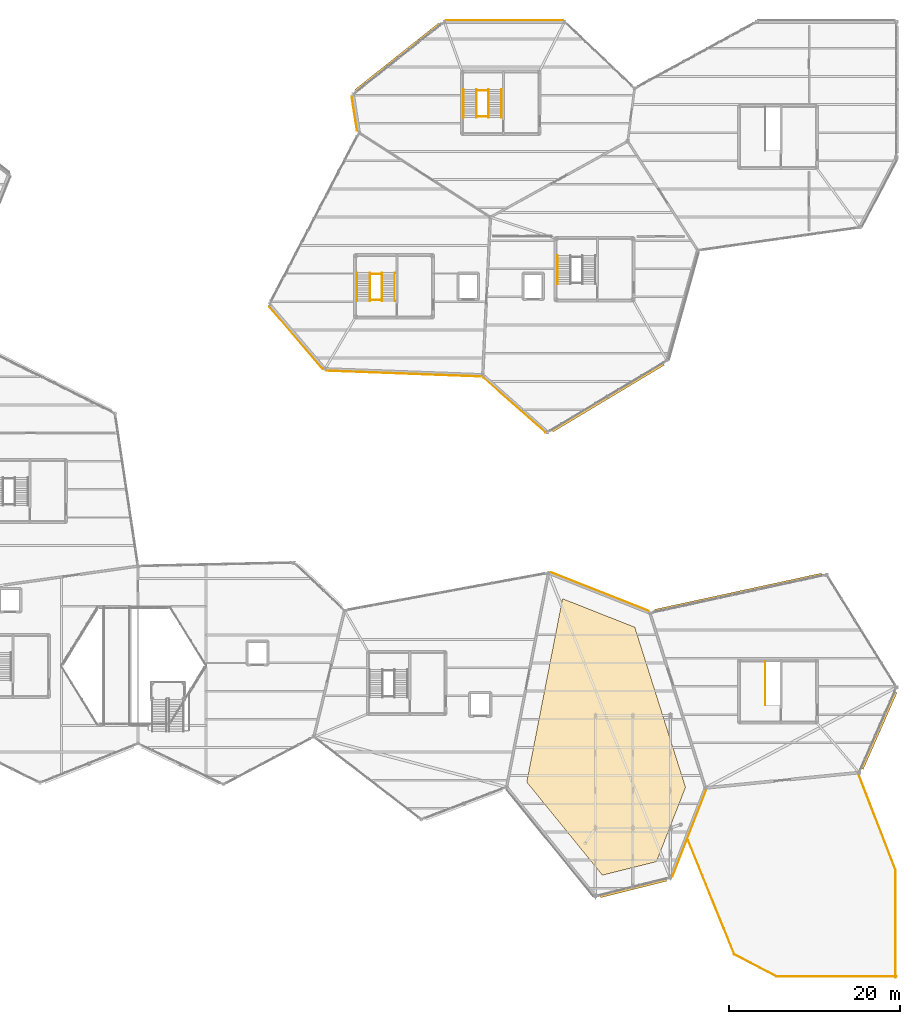
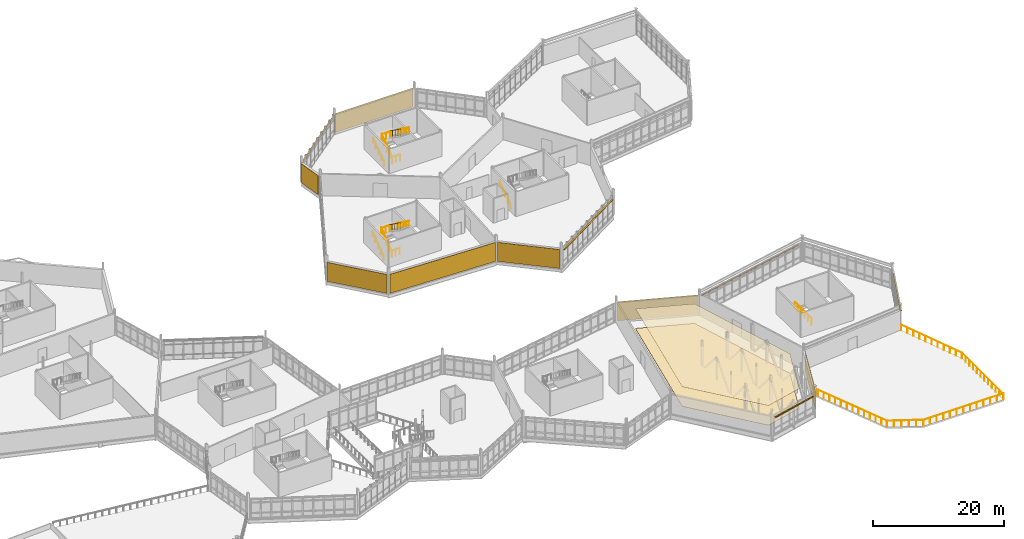
# One storey, part 113 of 114: 19 railings, 9 coverings, 5 shading devices.
"""IFC4 building model written with IfcOpenShell, lengths in metres."""

import ifcopenshell
import ifcopenshell.guid

model = None  # the IFC model being written
_history = None  # IfcOwnerHistory: only IFC2X3 demands one
_inside = {}  # id of a spatial element -> (the spatial element, [elements in it])
_under = {}  # id of a project, library or spatial element -> (it, [spatial elements below it])
_declared = {}  # id of a project -> (the project, [libraries it declares])
_typed = {}  # id of a type object -> (the type object, [elements of that type])
_made_of = {}  # id of a material, layer set ... -> (it, [elements and type objects made of it])


def new_model(schema):
    """Start an empty IFC model of exactly this schema.

    Asked for "IFC4X3", IfcOpenShell would pick the latest addendum, in which some entities
    have other attributes; the version numbers below select the first issue.
    IFC2X3 requires an IfcOwnerHistory on every rooted entity: one is made here for all.
    """
    global model, _history
    if schema == "IFC4X3":
        model = ifcopenshell.file(schema_version=(4, 3, 0, 0))
    else:
        model = ifcopenshell.file(schema=schema)
    _inside.clear()
    _under.clear()
    _declared.clear()
    _typed.clear()
    _made_of.clear()
    _history = None
    if model.schema == "IFC2X3":
        org = make("IfcOrganization", Name="unknown")
        user = make(
            "IfcPersonAndOrganization",
            ThePerson=make("IfcPerson", FamilyName="unknown"),
            TheOrganization=org,
        )
        app = make(
            "IfcApplication",
            ApplicationDeveloper=org,
            Version="unknown",
            ApplicationFullName="unknown",
            ApplicationIdentifier="unknown",
        )
        _history = make(
            "IfcOwnerHistory",
            OwningUser=user,
            OwningApplication=app,
            ChangeAction="ADDED",
            CreationDate=0,
        )
    return model


def make(cls, **values):
    """One entity of the class cls with the attributes given. An attribute that is None is left unset."""
    return model.create_entity(
        cls, **{name: value for name, value in values.items() if value is not None}
    )


def rooted(cls, **values):
    """An entity with a GlobalId (a new one), such as an element, a storey or a relation."""
    return make(cls, GlobalId=ifcopenshell.guid.new(), OwnerHistory=_history, **values)


def si_unit(unit_type, name, prefix=None):
    """IfcSIUnit, for example si_unit("LENGTHUNIT", "METRE", prefix="MILLI")."""
    return make("IfcSIUnit", UnitType=unit_type, Prefix=prefix, Name=name)


def assignment(units):
    """IfcUnitAssignment: the units of a project."""
    return None if units is None else make("IfcUnitAssignment", Units=units)


def point(xyz):
    """IfcCartesianPoint."""
    return None if xyz is None else make("IfcCartesianPoint", Coordinates=xyz)


def direction(xyz):
    """IfcDirection."""
    return None if xyz is None else make("IfcDirection", DirectionRatios=xyz)


def frame(location, z_axis=None, x_axis=None):
    """IfcAxis2Placement3D, a coordinate frame: its origin and axes. An axis left out is left unset."""
    return make(
        "IfcAxis2Placement3D",
        Location=point(location),
        Axis=direction(z_axis),
        RefDirection=direction(x_axis),
    )


def frame_2d(location, x_axis=None):
    """IfcAxis2Placement2D, a coordinate frame in the plane: its origin and x axis."""
    return make(
        "IfcAxis2Placement2D", Location=point(location), RefDirection=direction(x_axis)
    )


def origin():
    """The frame at (0, 0, 0) with its axes left unset."""
    return frame((0.0, 0.0, 0.0))


def origin_2d():
    """The frame at (0, 0) in the plane with its x axis left unset."""
    return frame_2d((0.0, 0.0))


def place(relative_to, where):
    """IfcLocalPlacement: puts the frame where relative to a parent placement (None: the world)."""
    return make(
        "IfcLocalPlacement", PlacementRelTo=relative_to, RelativePlacement=where
    )


def context(
    kind, dimensions, precision=None, world=None, true_north=None, identifier=None
):
    """IfcGeometricRepresentationContext, for example the 3D "Model" context."""
    return make(
        "IfcGeometricRepresentationContext",
        ContextIdentifier=identifier,
        ContextType=kind,
        CoordinateSpaceDimension=dimensions,
        Precision=precision,
        WorldCoordinateSystem=world,
        TrueNorth=true_north,
    )


def subcontext(parent, identifier, kind, view, scale=None):
    """IfcGeometricRepresentationSubContext, for example "Body" below "Model"."""
    return make(
        "IfcGeometricRepresentationSubContext",
        ContextIdentifier=identifier,
        ContextType=kind,
        ParentContext=parent,
        TargetScale=scale,
        TargetView=view,
    )


def project(units=None, contexts=None):
    """IfcProject with its units and contexts."""
    return rooted(
        "IfcProject",
        Name="project",
        RepresentationContexts=contexts,
        UnitsInContext=assignment(units),
    )


def spatial(cls, under=None, at=None, **own):
    """A site, building, storey or space (cls), placed at a placement, below another one or the project."""
    s = rooted(cls, ObjectPlacement=at, **own)
    if under is not None:
        _under.setdefault(under.id(), (under, []))[1].append(s)
    return s


def polyline(points):
    """IfcPolyline through the points."""
    return make("IfcPolyline", Points=[point(p) for p in points])


def profile(cls, at=None, kind="AREA", **sizes):
    """A parametric profile (cls). Its sizes go by their IFC names, for example OverallWidth=200.0."""
    return make(cls, ProfileType=kind, Position=at, **sizes)


def rectangle(**sizes):
    """IfcRectangleProfileDef."""
    return profile("IfcRectangleProfileDef", **sizes)


def circle(**sizes):
    """IfcCircleProfileDef."""
    return profile("IfcCircleProfileDef", **sizes)


def outline(outer, holes=None, kind="AREA"):
    """IfcArbitraryClosedProfileDef: a profile drawn as a closed curve; with holes, ...WithVoids."""
    if holes is None:
        return make("IfcArbitraryClosedProfileDef", ProfileType=kind, OuterCurve=outer)
    return make(
        "IfcArbitraryProfileDefWithVoids",
        ProfileType=kind,
        OuterCurve=outer,
        InnerCurves=holes,
    )


def extrude(swept, where, along, depth):
    """IfcExtrudedAreaSolid: the profile swept, set in the frame where, extruded along a direction by depth."""
    return make(
        "IfcExtrudedAreaSolid",
        SweptArea=swept,
        Position=where,
        ExtrudedDirection=direction(along),
        Depth=depth,
    )


def shape(context_of_items, identifier, shape_type, items):
    """IfcShapeRepresentation: the items that make up one representation, for example the "Body"."""
    return make(
        "IfcShapeRepresentation",
        ContextOfItems=context_of_items,
        RepresentationIdentifier=identifier,
        RepresentationType=shape_type,
        Items=items,
    )


def material(Name=None, Category=None):
    """IfcMaterial."""
    return make("IfcMaterial", Name=Name, Category=Category)


def layer(
    of_material, thickness, ventilated=None, Name=None, Category=None, Priority=None
):
    """IfcMaterialLayer: one layer of a wall or slab, of a material (None: an air gap)."""
    return make(
        "IfcMaterialLayer",
        Material=of_material,
        LayerThickness=thickness,
        IsVentilated=ventilated,
        Name=Name,
        Category=Category,
        Priority=Priority,
    )


def layer_set(layers, Name=None):
    """IfcMaterialLayerSet."""
    return make("IfcMaterialLayerSet", MaterialLayers=layers, LayerSetName=Name)


def made_of(thing, what):
    """Note that an element or type object is made of a material, layer set ...; save() writes the relation."""
    if what is not None:
        _made_of.setdefault(what.id(), (what, []))[1].append(thing)
    return thing


def type_object(cls, material=None, **own):
    """A type object (cls), such as IfcWallType, which elements share."""
    return made_of(rooted(cls, **own), material)


def element(
    cls,
    number,
    at=None,
    inside=None,
    cuts=None,
    type_object=None,
    material=None,
    context=None,
    identifier="Body",
    shape_type=None,
    held_by="IfcProductDefinitionShape",
    body=None,
    shapes=None,
    **own,
):
    """One element of the class cls, such as IfcWall. Its Tag is "e" and its number.

    at: its placement. inside: the storey or other place that contains it. cuts: it is an
    opening in that element (IfcRelVoidsElement). A single representation is given by context,
    identifier, shape_type and body (its items); several are given by shapes. held_by: the class
    of the entity that holds the representations. save() writes the other relations.
    """
    e = rooted(cls, Tag="e%d" % number, ObjectPlacement=at, **own)
    if body is not None:
        shapes = [shape(context, identifier, shape_type, body)]
    if shapes is not None:
        e.Representation = make(held_by, Representations=shapes)
    if inside is not None:
        _inside.setdefault(inside.id(), (inside, []))[1].append(e)
    if cuts is not None:
        rooted(
            "IfcRelVoidsElement", RelatingBuildingElement=cuts, RelatedOpeningElement=e
        )
    if type_object is not None:
        _typed.setdefault(type_object.id(), (type_object, []))[1].append(e)
    return made_of(e, material)


def aggregate(whole, parts):
    """IfcRelAggregates: a whole, such as a stair, and the parts it consists of."""
    return rooted("IfcRelAggregates", RelatingObject=whole, RelatedObjects=parts)


def save(model, path):
    """Write the relations noted so far, then the file.

    IfcRelAggregates (storeys below a building ...), IfcRelContainedInSpatialStructure (elements
    in a storey), IfcRelDefinesByType, IfcRelAssociatesMaterial and IfcRelDeclares: one each for
    every whole, place, type object, material and project.
    """
    for whole, parts in _under.values():
        aggregate(whole, parts)
    for where, things in _inside.values():
        rooted(
            "IfcRelContainedInSpatialStructure",
            RelatedElements=things,
            RelatingStructure=where,
        )
    for kind, things in _typed.values():
        rooted("IfcRelDefinesByType", RelatedObjects=things, RelatingType=kind)
    for what, things in _made_of.values():
        rooted("IfcRelAssociatesMaterial", RelatedObjects=things, RelatingMaterial=what)
    for by, libraries in _declared.values():
        rooted("IfcRelDeclares", RelatingContext=by, RelatedDefinitions=libraries)
    model.write(path)


model = new_model("IFC4")

# Units and contexts
model_context = context("Model", 3, precision=1e-05, world=origin(), true_north=direction((0.0, 1.0)))
body_context = subcontext(model_context, "Body", "Model", "MODEL_VIEW")
ifc_project = project(units=[si_unit("LENGTHUNIT", "METRE"), si_unit("AREAUNIT", "SQUARE_METRE"), si_unit("VOLUMEUNIT", "CUBIC_METRE"), si_unit("PLANEANGLEUNIT", "RADIAN"), si_unit("MASSUNIT", "GRAM", prefix="KILO")], contexts=[model_context])

# Site, building, storey
site_placement = place(None, origin())
site = spatial("IfcSite", under=ifc_project, at=site_placement, CompositionType="ELEMENT")
building_placement = place(site_placement, origin())
building = spatial("IfcBuilding", under=site, at=building_placement, Name="Tameran Prism Museum", CompositionType="ELEMENT")
storey_placement = place(building_placement, frame((0.0, 0.0, 10.199951171875)))
storey = spatial("IfcBuildingStorey", under=building, at=storey_placement, Name="L02", CompositionType="ELEMENT", Elevation=10.199951171875)

# Coverings
ifc_material_1 = material(Name="Perforated Acoustic Timber Slat Ceiling", Category="wood")
ifc_layer_1 = layer(ifc_material_1, 0.034912109375)
ifc_layer_set_1 = layer_set([ifc_layer_1])
covering_type_1 = type_object("IfcCoveringType", Name="CV-CEIL-AC", PredefinedType="CEILING", material=ifc_layer_set_1)
covering_1_placement = place(storey_placement, frame((0.0, 0.0, 3.650146484375)))
element("IfcCovering", 1, at=covering_1_placement, inside=storey, type_object=covering_type_1, Name="Acoustic Gallery Ceiling CLG-07", PredefinedType="CEILING", context=body_context, shape_type="SweptSolid", body=[
    extrude(outline(polyline([(131.925048828125, 11.97412109375), (123.055908203125, 22.888916015625), (127.251953125, 44.382080078125), (135.718994140625, 41.0380859375), (141.66796875, 22.27587890625), (138.263916015625, 13.55908203125), (131.925048828125, 11.97412109375)])), origin(), (0.0, 0.0, 1.0), 0.034912109375),
])
ifc_material_2 = material(Name="Honed Porcellanite Terrazzo Flooring")
ifc_layer_2 = layer(ifc_material_2, 0.030029296875)
ifc_layer_set_2 = layer_set([ifc_layer_2])
covering_type_2 = type_object("IfcCoveringType", Name="CV-FLR-TER", PredefinedType="FLOORING", material=ifc_layer_set_2)
covering_2_placement = place(storey_placement, origin())
element("IfcCovering", 2, at=covering_2_placement, inside=storey, type_object=covering_type_2, Name="Porcellanite Terrazzo Floor FLR-07", PredefinedType="FLOORING", context=body_context, shape_type="SweptSolid", body=[
    extrude(outline(polyline([(131.925048828125, 11.97412109375), (123.055908203125, 22.888916015625), (127.251953125, 44.382080078125), (135.718994140625, 41.0380859375), (141.66796875, 22.27587890625), (138.263916015625, 13.55908203125), (131.925048828125, 11.97412109375)])), origin(), (0.0, 0.0, 1.0), 0.030029296875),
])
ifc_material_3 = material(Name="White Fluted Mineral Precast GRC", Category="concrete")
ifc_layer_3 = layer(ifc_material_3, 0.044921875)
ifc_layer_set_3 = layer_set([ifc_layer_3])
covering_type_3 = type_object("IfcCoveringType", Name="CV-FLUTE-WHT", PredefinedType="CLADDING", material=ifc_layer_set_3)
covering_3_placement = place(storey_placement, frame((117.653076171875, 70.4189453125, 0.050048828125), z_axis=(0.0, 0.0, 1.0), x_axis=(-0.99928497739, 0.037809178279, 0.0)))
element("IfcCovering", 3, at=covering_3_placement, inside=storey, type_object=covering_type_3, Name="Vertical Fluted White Precast Panel CL-0026", PredefinedType="CLADDING", context=body_context, shape_type="SweptSolid", body=[
    extrude(rectangle(XDim=18.093017578125, YDim=0.044921875, at=frame_2d((9.04638671875, 0.0))), origin(), (0.0, 0.0, 1.0), 3.52001953125),
])
covering_4_placement = place(storey_placement, frame((99.138916015625, 71.31298828125, 0.050048828125), z_axis=(0.0, 0.0, 1.0), x_axis=(-0.649933824591, 0.759990804979, 0.0)))
element("IfcCovering", 4, at=covering_4_placement, inside=storey, type_object=covering_type_3, Name="Vertical Fluted White Precast Panel CL-0027", PredefinedType="CLADDING", context=body_context, shape_type="SweptSolid", body=[
    extrude(rectangle(XDim=9.640869140625, YDim=0.044921875, at=frame_2d((4.8203125, 0.0))), origin(), (0.0, 0.0, 1.0), 3.52001953125),
])
covering_5_placement = place(storey_placement, frame((125.239013671875, 63.876953125, 0.050048828125), z_axis=(0.0, 0.0, 1.0), x_axis=(-0.750181119255, 0.661232401137, 0.0)))
element("IfcCovering", 5, at=covering_5_placement, inside=storey, type_object=covering_type_3, Name="Vertical Fluted White Precast Panel CL-0028", PredefinedType="CLADDING", context=body_context, shape_type="SweptSolid", body=[
    extrude(rectangle(XDim=9.7109375, YDim=0.044921875, at=frame_2d((4.85546875, 0.0))), origin(), (0.0, 0.0, 1.0), 3.52001953125),
])
covering_6_placement = place(storey_placement, frame((113.580078125, 112.18994140625, 0.050048828125), z_axis=(0.0, 0.0, 1.0), x_axis=(1.0, 0.0, 0.0)))
element("IfcCovering", 6, at=covering_6_placement, inside=storey, type_object=covering_type_3, Name="Vertical Fluted White Precast Panel CL-0030", PredefinedType="CLADDING", context=body_context, shape_type="SweptSolid", body=[
    extrude(rectangle(XDim=13.739990234375, YDim=0.044921875, at=frame_2d((6.8701171875, 0.0))), origin(), (0.0, 0.0, 1.0), 3.52001953125),
])
covering_7_placement = place(storey_placement, frame((103.176025390625, 99.2080078125, 0.050048828125), z_axis=(0.0, 0.0, 1.0), x_axis=(-0.153836417565, 0.988096329631, 0.0)))
element("IfcCovering", 7, at=covering_7_placement, inside=storey, type_object=covering_type_3, Name="Vertical Fluted White Precast Panel CL-0031", PredefinedType="CLADDING", context=body_context, shape_type="SweptSolid", body=[
    extrude(rectangle(XDim=4.13427734375, YDim=0.044921875, at=frame_2d((2.067138671875, 0.0))), origin(), (0.0, 0.0, 1.0), 3.52001953125),
])
covering_8_placement = place(storey_placement, frame((144.077880859375, 21.912109375, 0.050048828125), z_axis=(0.0, 0.0, 1.0), x_axis=(-0.363682479399, -0.931522975658, 0.0)))
element("IfcCovering", 8, at=covering_8_placement, inside=storey, type_object=covering_type_3, Name="Vertical Fluted White Precast Panel CL-0034", PredefinedType="CLADDING", context=body_context, shape_type="SweptSolid", body=[
    extrude(rectangle(XDim=10.852294921875, YDim=0.044921875, at=frame_2d((5.42626953125, 0.0))), origin(), (0.0, 0.0, 1.0), 3.52001953125),
])
covering_9_placement = place(storey_placement, frame((125.889892578125, 47.47705078125, 0.050048828125), z_axis=(0.0, 0.0, 1.0), x_axis=(0.930055754075, -0.36741841858, 0.0)))
element("IfcCovering", 9, at=covering_9_placement, inside=storey, type_object=covering_type_3, Name="Vertical Fluted White Precast Panel CL-0035", PredefinedType="CLADDING", context=body_context, shape_type="SweptSolid", body=[
    extrude(rectangle(XDim=12.3134765625, YDim=0.044921875, at=frame_2d((6.15673828125, 0.0))), origin(), (0.0, 0.0, 1.0), 3.52001953125),
])

# Railings
ifc_material_4 = material(Name="Marine Stainless Steel 316", Category="steel")
ifc_layer_4 = layer(ifc_material_4, 0.054931640625)
ifc_layer_set_4 = layer_set([ifc_layer_4])
railing_type_1 = type_object("IfcRailingType", Name="RL-GR-1120", PredefinedType="GUARDRAIL", material=ifc_layer_set_4)
railing_1_placement = place(storey_placement, frame((104.68994140625, 79.39990234375, 0.0)))
element("IfcRailing", 10, at=railing_1_placement, inside=storey, type_object=railing_type_1, Name="Stair Well Slot Guard GR-S012", PredefinedType="GUARDRAIL", context=body_context, shape_type="SweptSolid", body=[
    extrude(circle(Radius=0.02392578125, at=origin_2d()), frame((0.0, 0.0, 1.1259765625), z_axis=(1.0, 0.0, 0.0), x_axis=(0.0, 1.0, 0.0)), (0.0, 0.0, 1.0), 1.3701171875),
    extrude(circle(Radius=0.02099609375, at=origin_2d()), origin(), (0.0, 0.0, 1.0), 1.101806640625),
    extrude(circle(Radius=0.02099609375, at=origin_2d()), frame((0.68505859375, 0.0, 0.0)), (0.0, 0.0, 1.0), 1.101806640625),
    extrude(circle(Radius=0.02099609375, at=origin_2d()), frame((1.3701171875, 0.0, 0.0)), (0.0, 0.0, 1.0), 1.101806640625),
])
railing_2_placement = place(storey_placement, frame((104.669921875, 79.280029296875, 0.0)))
element("IfcRailing", 11, at=railing_2_placement, inside=storey, type_object=railing_type_1, Name="Stair Well Guardrail GR-S013", PredefinedType="GUARDRAIL", context=body_context, shape_type="SweptSolid", body=[
    extrude(circle(Radius=0.02392578125, at=origin_2d()), frame((0.0, 0.0, 1.1259765625), z_axis=(0.0, 0.809980229442, 0.586457183359), x_axis=(-1.0, 0.0, 0.0)), (0.0, 0.0, 1.0), 4.092529296875),
    extrude(circle(Radius=0.02099609375, at=origin_2d()), origin(), (0.0, 0.0, 1.0), 1.101806640625),
    extrude(circle(Radius=0.02099609375, at=origin_2d()), frame((0.0, 0.82861328125, 0.60009765625)), (0.0, 0.0, 1.0), 1.101806640625),
    extrude(circle(Radius=0.02099609375, at=origin_2d()), frame((0.0, 1.657470703125, 1.2001953125)), (0.0, 0.0, 1.0), 1.101806640625),
    extrude(circle(Radius=0.02099609375, at=origin_2d()), frame((0.0, 2.486328125, 1.800048828125)), (0.0, 0.0, 1.0), 1.101806640625),
    extrude(circle(Radius=0.02099609375, at=origin_2d()), frame((0.0, 3.31494140625, 2.400146484375)), (0.0, 0.0, 1.0), 1.101806640625),
])
railing_3_placement = place(storey_placement, frame((106.080078125, 82.594970703125, 2.400146484375)))
element("IfcRailing", 12, at=railing_3_placement, inside=storey, type_object=railing_type_1, Name="Stair Well Guardrail GR-S014", PredefinedType="GUARDRAIL", context=body_context, shape_type="SweptSolid", body=[
    extrude(circle(Radius=0.02392578125, at=origin_2d()), frame((0.0, 0.0, 1.1259765625), z_axis=(0.0, -0.810008566192, 0.586418044312), x_axis=(1.0, 0.0, 0.0)), (0.0, 0.0, 1.0), 4.092529296875),
    extrude(circle(Radius=0.02099609375, at=origin_2d()), origin(), (0.0, 0.0, 1.0), 1.101806640625),
    extrude(circle(Radius=0.02099609375, at=origin_2d()), frame((0.0, -0.82861328125, 0.60009765625)), (0.0, 0.0, 1.0), 1.101806640625),
    extrude(circle(Radius=0.02099609375, at=origin_2d()), frame((0.0, -1.657470703125, 1.199951171875)), (0.0, 0.0, 1.0), 1.101806640625),
    extrude(circle(Radius=0.02099609375, at=origin_2d()), frame((0.0, -2.486328125, 1.7998046875)), (0.0, 0.0, 1.0), 1.101806640625),
    extrude(circle(Radius=0.02099609375, at=origin_2d()), frame((0.0, -3.31494140625, 2.39990234375)), (0.0, 0.0, 1.0), 1.101806640625),
])
railing_4_placement = place(storey_placement, frame((104.64990234375, 82.455078125, 2.400146484375)))
element("IfcRailing", 13, at=railing_4_placement, inside=storey, type_object=railing_type_1, Name="Landing Well Guardrail GR-S015", PredefinedType="GUARDRAIL", context=body_context, shape_type="SweptSolid", body=[
    extrude(circle(Radius=0.02392578125, at=origin_2d()), frame((0.0, 0.0, 1.1259765625), z_axis=(1.0, 0.0, 0.0), x_axis=(0.0, 1.0, 0.0)), (0.0, 0.0, 1.0), 1.4501953125),
    extrude(circle(Radius=0.02099609375, at=origin_2d()), origin(), (0.0, 0.0, 1.0), 1.101806640625),
    extrude(circle(Radius=0.02099609375, at=origin_2d()), frame((0.72509765625, 0.0, 0.0)), (0.0, 0.0, 1.0), 1.101806640625),
    extrude(circle(Radius=0.02099609375, at=origin_2d()), frame((1.4501953125, 0.0, 0.0)), (0.0, 0.0, 1.0), 1.101806640625),
])
railing_5_placement = place(storey_placement, frame((117.18994140625, 100.89990234375, 0.0)))
element("IfcRailing", 14, at=railing_5_placement, inside=storey, type_object=railing_type_1, Name="Stair Well Slot Guard GR-S068", PredefinedType="GUARDRAIL", context=body_context, shape_type="SweptSolid", body=[
    extrude(circle(Radius=0.02392578125, at=origin_2d()), frame((0.0, 0.0, 1.1259765625), z_axis=(1.0, 0.0, 0.0), x_axis=(0.0, 1.0, 0.0)), (0.0, 0.0, 1.0), 1.3701171875),
    extrude(circle(Radius=0.02099609375, at=origin_2d()), origin(), (0.0, 0.0, 1.0), 1.101806640625),
    extrude(circle(Radius=0.02099609375, at=origin_2d()), frame((0.68505859375, 0.0, 0.0)), (0.0, 0.0, 1.0), 1.101806640625),
    extrude(circle(Radius=0.02099609375, at=origin_2d()), frame((1.3701171875, 0.0, 0.0)), (0.0, 0.0, 1.0), 1.101806640625),
])
railing_6_placement = place(storey_placement, frame((117.169921875, 100.780029296875, 0.0)))
element("IfcRailing", 15, at=railing_6_placement, inside=storey, type_object=railing_type_1, Name="Stair Well Guardrail GR-S069", PredefinedType="GUARDRAIL", context=body_context, shape_type="SweptSolid", body=[
    extrude(circle(Radius=0.02392578125, at=origin_2d()), frame((0.0, 0.0, 1.1259765625), z_axis=(0.0, 0.809980229442, 0.586457183359), x_axis=(-1.0, 0.0, 0.0)), (0.0, 0.0, 1.0), 4.092529296875),
    extrude(circle(Radius=0.02099609375, at=origin_2d()), origin(), (0.0, 0.0, 1.0), 1.101806640625),
    extrude(circle(Radius=0.02099609375, at=origin_2d()), frame((0.0, 0.82861328125, 0.60009765625)), (0.0, 0.0, 1.0), 1.101806640625),
    extrude(circle(Radius=0.02099609375, at=origin_2d()), frame((0.0, 1.657470703125, 1.2001953125)), (0.0, 0.0, 1.0), 1.101806640625),
    extrude(circle(Radius=0.02099609375, at=origin_2d()), frame((0.0, 2.486328125, 1.800048828125)), (0.0, 0.0, 1.0), 1.101806640625),
    extrude(circle(Radius=0.02099609375, at=origin_2d()), frame((0.0, 3.31494140625, 2.400146484375)), (0.0, 0.0, 1.0), 1.101806640625),
])
railing_7_placement = place(storey_placement, frame((118.580078125, 104.094970703125, 2.400146484375)))
element("IfcRailing", 16, at=railing_7_placement, inside=storey, type_object=railing_type_1, Name="Stair Well Guardrail GR-S070", PredefinedType="GUARDRAIL", context=body_context, shape_type="SweptSolid", body=[
    extrude(circle(Radius=0.02392578125, at=origin_2d()), frame((0.0, 0.0, 1.1259765625), z_axis=(0.0, -0.810008566192, 0.586418044312), x_axis=(1.0, 0.0, 0.0)), (0.0, 0.0, 1.0), 4.092529296875),
    extrude(circle(Radius=0.02099609375, at=origin_2d()), origin(), (0.0, 0.0, 1.0), 1.101806640625),
    extrude(circle(Radius=0.02099609375, at=origin_2d()), frame((0.0, -0.82861328125, 0.60009765625)), (0.0, 0.0, 1.0), 1.101806640625),
    extrude(circle(Radius=0.02099609375, at=origin_2d()), frame((0.0, -1.657470703125, 1.199951171875)), (0.0, 0.0, 1.0), 1.101806640625),
    extrude(circle(Radius=0.02099609375, at=origin_2d()), frame((0.0, -2.486328125, 1.7998046875)), (0.0, 0.0, 1.0), 1.101806640625),
    extrude(circle(Radius=0.02099609375, at=origin_2d()), frame((0.0, -3.31494140625, 2.39990234375)), (0.0, 0.0, 1.0), 1.101806640625),
])
railing_8_placement = place(storey_placement, frame((117.14990234375, 103.955078125, 2.400146484375)))
element("IfcRailing", 17, at=railing_8_placement, inside=storey, type_object=railing_type_1, Name="Landing Well Guardrail GR-S071", PredefinedType="GUARDRAIL", context=body_context, shape_type="SweptSolid", body=[
    extrude(circle(Radius=0.02392578125, at=origin_2d()), frame((0.0, 0.0, 1.1259765625), z_axis=(1.0, 0.0, 0.0), x_axis=(0.0, 1.0, 0.0)), (0.0, 0.0, 1.0), 1.4501953125),
    extrude(circle(Radius=0.02099609375, at=origin_2d()), origin(), (0.0, 0.0, 1.0), 1.101806640625),
    extrude(circle(Radius=0.02099609375, at=origin_2d()), frame((0.72509765625, 0.0, 0.0)), (0.0, 0.0, 1.0), 1.101806640625),
    extrude(circle(Radius=0.02099609375, at=origin_2d()), frame((1.4501953125, 0.0, 0.0)), (0.0, 0.0, 1.0), 1.101806640625),
])
railing_9_placement = place(storey_placement, frame((151.010009765625, 31.919921875, 0.0)))
element("IfcRailing", 18, at=railing_9_placement, inside=storey, type_object=railing_type_1, Name="Stair Well Slot Guard GR-S196", PredefinedType="GUARDRAIL", context=body_context, shape_type="SweptSolid", body=[
    extrude(circle(Radius=0.02392578125, at=origin_2d()), frame((0.0, 0.0, 1.1259765625), z_axis=(0.0, 1.0, 0.0), x_axis=(-1.0, 0.0, 0.0)), (0.0, 0.0, 1.0), 5.130126953125),
    extrude(circle(Radius=0.02099609375, at=origin_2d()), origin(), (0.0, 0.0, 1.0), 1.101806640625),
    extrude(circle(Radius=0.02099609375, at=origin_2d()), frame((0.0, 1.026123046875, 0.0)), (0.0, 0.0, 1.0), 1.101806640625),
    extrude(circle(Radius=0.02099609375, at=origin_2d()), frame((0.0, 2.052001953125, 0.0)), (0.0, 0.0, 1.0), 1.101806640625),
    extrude(circle(Radius=0.02099609375, at=origin_2d()), frame((0.0, 3.078125, 0.0)), (0.0, 0.0, 1.0), 1.101806640625),
    extrude(circle(Radius=0.02099609375, at=origin_2d()), frame((0.0, 4.10400390625, 0.0)), (0.0, 0.0, 1.0), 1.101806640625),
    extrude(circle(Radius=0.02099609375, at=origin_2d()), frame((0.0, 5.130126953125, 0.0)), (0.0, 0.0, 1.0), 1.101806640625),
])
ifc_material_5 = material(Name="Brushed Stainless Steel 316", Category="steel")
ifc_layer_5 = layer(ifc_material_5, 0.048095703125)
ifc_layer_set_5 = layer_set([ifc_layer_5])
railing_type_2 = type_object("IfcRailingType", Name="RL-HR-920", PredefinedType="HANDRAIL", material=ifc_layer_set_5)
railing_10_placement = place(storey_placement, frame((103.159912109375, 79.280029296875, 0.0)))
element("IfcRailing", 19, at=railing_10_placement, inside=storey, type_object=railing_type_2, Name="Stair Flight Handrail HR-007", PredefinedType="HANDRAIL", context=body_context, shape_type="SweptSolid", body=[
    extrude(circle(Radius=0.02392578125, at=origin_2d()), frame((0.0, 0.0, 0.89599609375), z_axis=(0.0, 0.809980229442, 0.586457183359), x_axis=(-1.0, 0.0, 0.0)), (0.0, 0.0, 1.0), 4.092529296875),
    extrude(circle(Radius=0.02099609375, at=origin_2d()), origin(), (0.0, 0.0, 1.0), 0.871826171875),
    extrude(circle(Radius=0.02099609375, at=origin_2d()), frame((0.0, 0.82861328125, 0.60009765625)), (0.0, 0.0, 1.0), 0.871826171875),
    extrude(circle(Radius=0.02099609375, at=origin_2d()), frame((0.0, 1.657470703125, 1.2001953125)), (0.0, 0.0, 1.0), 0.871826171875),
    extrude(circle(Radius=0.02099609375, at=origin_2d()), frame((0.0, 2.486328125, 1.800048828125)), (0.0, 0.0, 1.0), 0.871826171875),
    extrude(circle(Radius=0.02099609375, at=origin_2d()), frame((0.0, 3.31494140625, 2.400146484375)), (0.0, 0.0, 1.0), 0.871826171875),
])
railing_11_placement = place(storey_placement, frame((107.590087890625, 82.594970703125, 2.400146484375)))
element("IfcRailing", 20, at=railing_11_placement, inside=storey, type_object=railing_type_2, Name="Stair Flight Handrail HR-008", PredefinedType="HANDRAIL", context=body_context, shape_type="SweptSolid", body=[
    extrude(circle(Radius=0.02392578125, at=origin_2d()), frame((0.0, 0.0, 0.89599609375), z_axis=(0.0, -0.810008566192, 0.586418044312), x_axis=(1.0, 0.0, 0.0)), (0.0, 0.0, 1.0), 4.092529296875),
    extrude(circle(Radius=0.02099609375, at=origin_2d()), origin(), (0.0, 0.0, 1.0), 0.871826171875),
    extrude(circle(Radius=0.02099609375, at=origin_2d()), frame((0.0, -0.82861328125, 0.60009765625)), (0.0, 0.0, 1.0), 0.871826171875),
    extrude(circle(Radius=0.02099609375, at=origin_2d()), frame((0.0, -1.657470703125, 1.199951171875)), (0.0, 0.0, 1.0), 0.871826171875),
    extrude(circle(Radius=0.02099609375, at=origin_2d()), frame((0.0, -2.486328125, 1.7998046875)), (0.0, 0.0, 1.0), 0.871826171875),
    extrude(circle(Radius=0.02099609375, at=origin_2d()), frame((0.0, -3.31494140625, 2.39990234375)), (0.0, 0.0, 1.0), 0.871826171875),
])
for number, where, name in (
    (21, (126.659912109375, 81.280029296875, 0.0), "Stair Flight Handrail HR-021"),
    (22, (115.659912109375, 100.780029296875, 0.0), "Stair Flight Handrail HR-035"),
):
    element("IfcRailing", number, at=place(storey_placement, frame(where)), inside=storey, type_object=railing_type_2, Name=name, PredefinedType="HANDRAIL", context=body_context, shape_type="SweptSolid", body=[
        extrude(circle(Radius=0.02392578125, at=origin_2d()), frame((0.0, 0.0, 0.89599609375), z_axis=(0.0, 0.809980229442, 0.586457183359), x_axis=(-1.0, 0.0, 0.0)), (0.0, 0.0, 1.0), 4.092529296875),
        extrude(circle(Radius=0.02099609375, at=origin_2d()), origin(), (0.0, 0.0, 1.0), 0.871826171875),
        extrude(circle(Radius=0.02099609375, at=origin_2d()), frame((0.0, 0.82861328125, 0.60009765625)), (0.0, 0.0, 1.0), 0.871826171875),
        extrude(circle(Radius=0.02099609375, at=origin_2d()), frame((0.0, 1.657470703125, 1.2001953125)), (0.0, 0.0, 1.0), 0.871826171875),
        extrude(circle(Radius=0.02099609375, at=origin_2d()), frame((0.0, 2.486328125, 1.800048828125)), (0.0, 0.0, 1.0), 0.871826171875),
        extrude(circle(Radius=0.02099609375, at=origin_2d()), frame((0.0, 3.31494140625, 2.400146484375)), (0.0, 0.0, 1.0), 0.871826171875),
    ])
railing_12_placement = place(storey_placement, frame((120.090087890625, 104.094970703125, 2.400146484375)))
element("IfcRailing", 23, at=railing_12_placement, inside=storey, type_object=railing_type_2, Name="Stair Flight Handrail HR-036", PredefinedType="HANDRAIL", context=body_context, shape_type="SweptSolid", body=[
    extrude(circle(Radius=0.02392578125, at=origin_2d()), frame((0.0, 0.0, 0.89599609375), z_axis=(0.0, -0.810008566192, 0.586418044312), x_axis=(1.0, 0.0, 0.0)), (0.0, 0.0, 1.0), 4.092529296875),
    extrude(circle(Radius=0.02099609375, at=origin_2d()), origin(), (0.0, 0.0, 1.0), 0.871826171875),
    extrude(circle(Radius=0.02099609375, at=origin_2d()), frame((0.0, -0.82861328125, 0.60009765625)), (0.0, 0.0, 1.0), 0.871826171875),
    extrude(circle(Radius=0.02099609375, at=origin_2d()), frame((0.0, -1.657470703125, 1.199951171875)), (0.0, 0.0, 1.0), 0.871826171875),
    extrude(circle(Radius=0.02099609375, at=origin_2d()), frame((0.0, -2.486328125, 1.7998046875)), (0.0, 0.0, 1.0), 0.871826171875),
    extrude(circle(Radius=0.02099609375, at=origin_2d()), frame((0.0, -3.31494140625, 2.39990234375)), (0.0, 0.0, 1.0), 0.871826171875),
])
ifc_material_6 = material(Name="Marine Stainless Steel 316", Category="steel")
ifc_layer_6 = layer(ifc_material_6, 0.06005859375)
ifc_layer_set_6 = layer_set([ifc_layer_6])
railing_type_3 = type_object("IfcRailingType", Name="RL-TER-1120", PredefinedType="GUARDRAIL", material=ifc_layer_set_6)
railing_13_placement = place(storey_placement, frame((141.97705078125, 16.055908203125, 0.0)))
element("IfcRailing", 24, at=railing_13_placement, inside=storey, type_object=railing_type_3, Name="Terrace Guardrail GR-T012", PredefinedType="GUARDRAIL", context=body_context, shape_type="SweptSolid", body=[
    extrude(circle(Radius=0.02392578125, at=origin_2d()), frame((0.0, 0.0, 1.09619140625), z_axis=(0.375526513781, -0.926811651549, 0.0), x_axis=(0.926811651549, 0.375526513781, 0.0)), (0.0, 0.0, 1.0), 14.469970703125),
    extrude(circle(Radius=0.02099609375, at=origin_2d()), origin(), (0.0, 0.0, 1.0), 1.072021484375),
    extrude(circle(Radius=0.02099609375, at=origin_2d()), frame((0.41796875, -1.031494140625, 0.0)), (0.0, 0.0, 1.0), 1.072021484375),
    extrude(circle(Radius=0.02099609375, at=origin_2d()), frame((0.8359375, -2.063232421875, 0.0)), (0.0, 0.0, 1.0), 1.072021484375),
    extrude(circle(Radius=0.02099609375, at=origin_2d()), frame((1.25390625, -3.0947265625, 0.0)), (0.0, 0.0, 1.0), 1.072021484375),
    extrude(circle(Radius=0.02099609375, at=origin_2d()), frame((1.671875, -4.12646484375, 0.0)), (0.0, 0.0, 1.0), 1.072021484375),
    extrude(circle(Radius=0.02099609375, at=origin_2d()), frame((2.08984375, -5.157958984375, 0.0)), (0.0, 0.0, 1.0), 1.072021484375),
    extrude(circle(Radius=0.02099609375, at=origin_2d()), frame((2.5078125, -6.189697265625, 0.0)), (0.0, 0.0, 1.0), 1.072021484375),
    extrude(circle(Radius=0.02099609375, at=origin_2d()), frame((2.926025390625, -7.22119140625, 0.0)), (0.0, 0.0, 1.0), 1.072021484375),
    extrude(circle(Radius=0.02099609375, at=origin_2d()), frame((3.343994140625, -8.2529296875, 0.0)), (0.0, 0.0, 1.0), 1.072021484375),
    extrude(circle(Radius=0.02099609375, at=origin_2d()), frame((3.761962890625, -9.284423828125, 0.0)), (0.0, 0.0, 1.0), 1.072021484375),
    extrude(circle(Radius=0.02099609375, at=origin_2d()), frame((4.179931640625, -10.316162109375, 0.0)), (0.0, 0.0, 1.0), 1.072021484375),
    extrude(circle(Radius=0.02099609375, at=origin_2d()), frame((4.597900390625, -11.34765625, 0.0)), (0.0, 0.0, 1.0), 1.072021484375),
    extrude(circle(Radius=0.02099609375, at=origin_2d()), frame((5.015869140625, -12.37939453125, 0.0)), (0.0, 0.0, 1.0), 1.072021484375),
    extrude(circle(Radius=0.02099609375, at=origin_2d()), frame((5.433837890625, -13.410888671875, 0.0)), (0.0, 0.0, 1.0), 1.072021484375),
])
railing_14_placement = place(storey_placement, frame((147.35498046875, 2.7060546875, 0.0)))
element("IfcRailing", 25, at=railing_14_placement, inside=storey, type_object=railing_type_3, Name="Terrace Guardrail GR-T013", PredefinedType="GUARDRAIL", context=body_context, shape_type="SweptSolid", body=[
    extrude(circle(Radius=0.02392578125, at=origin_2d()), frame((0.0, 0.0, 1.09619140625), z_axis=(0.887209708306, -0.461366376634, 0.0), x_axis=(0.461366376634, 0.887209708306, 0.0)), (0.0, 0.0, 1.0), 5.6357421875),
    extrude(circle(Radius=0.02099609375, at=origin_2d()), origin(), (0.0, 0.0, 1.0), 1.072021484375),
    extrude(circle(Radius=0.02099609375, at=origin_2d()), frame((1.0, -0.52001953125, 0.0)), (0.0, 0.0, 1.0), 1.072021484375),
    extrude(circle(Radius=0.02099609375, at=origin_2d()), frame((2.0, -1.0400390625, 0.0)), (0.0, 0.0, 1.0), 1.072021484375),
    extrude(circle(Radius=0.02099609375, at=origin_2d()), frame((3.0, -1.56005859375, 0.0)), (0.0, 0.0, 1.0), 1.072021484375),
    extrude(circle(Radius=0.02099609375, at=origin_2d()), frame((4.0, -2.080078125, 0.0)), (0.0, 0.0, 1.0), 1.072021484375),
    extrude(circle(Radius=0.02099609375, at=origin_2d()), frame((5.0, -2.60009765625, 0.0)), (0.0, 0.0, 1.0), 1.072021484375),
])
railing_15_placement = place(storey_placement, frame((152.300048828125, 0.1201171875, 0.0)))
element("IfcRailing", 26, at=railing_15_placement, inside=storey, type_object=railing_type_3, Name="Terrace Guardrail GR-T014", PredefinedType="GUARDRAIL", context=body_context, shape_type="SweptSolid", body=[
    extrude(circle(Radius=0.02392578125, at=origin_2d()), frame((0.0, 0.0, 1.09619140625), z_axis=(1.0, 0.0, 0.0), x_axis=(0.0, 1.0, 0.0)), (0.0, 0.0, 1.0), 14.099853515625),
    extrude(circle(Radius=0.02099609375, at=origin_2d()), origin(), (0.0, 0.0, 1.0), 1.072021484375),
    extrude(circle(Radius=0.02099609375, at=origin_2d()), frame((1.175048828125, 0.0, 0.0)), (0.0, 0.0, 1.0), 1.072021484375),
    extrude(circle(Radius=0.02099609375, at=origin_2d()), frame((2.35009765625, 0.0, 0.0)), (0.0, 0.0, 1.0), 1.072021484375),
    extrude(circle(Radius=0.02099609375, at=origin_2d()), frame((3.52490234375, 0.0, 0.0)), (0.0, 0.0, 1.0), 1.072021484375),
    extrude(circle(Radius=0.02099609375, at=origin_2d()), frame((4.699951171875, 0.0, 0.0)), (0.0, 0.0, 1.0), 1.072021484375),
    extrude(circle(Radius=0.02099609375, at=origin_2d()), frame((5.875, 0.0, 0.0)), (0.0, 0.0, 1.0), 1.072021484375),
    extrude(circle(Radius=0.02099609375, at=origin_2d()), frame((7.0498046875, 0.0, 0.0)), (0.0, 0.0, 1.0), 1.072021484375),
    extrude(circle(Radius=0.02099609375, at=origin_2d()), frame((8.224853515625, 0.0, 0.0)), (0.0, 0.0, 1.0), 1.072021484375),
    extrude(circle(Radius=0.02099609375, at=origin_2d()), frame((9.39990234375, 0.0, 0.0)), (0.0, 0.0, 1.0), 1.072021484375),
    extrude(circle(Radius=0.02099609375, at=origin_2d()), frame((10.574951171875, 0.0, 0.0)), (0.0, 0.0, 1.0), 1.072021484375),
    extrude(circle(Radius=0.02099609375, at=origin_2d()), frame((11.75, 0.0, 0.0)), (0.0, 0.0, 1.0), 1.072021484375),
    extrude(circle(Radius=0.02099609375, at=origin_2d()), frame((12.9248046875, 0.0, 0.0)), (0.0, 0.0, 1.0), 1.072021484375),
    extrude(circle(Radius=0.02099609375, at=origin_2d()), frame((14.099853515625, 0.0, 0.0)), (0.0, 0.0, 1.0), 1.072021484375),
])
railing_16_placement = place(storey_placement, frame((166.280029296875, 0.0, 0.0)))
element("IfcRailing", 27, at=railing_16_placement, inside=storey, type_object=railing_type_3, Name="Terrace Guardrail GR-T015", PredefinedType="GUARDRAIL", context=body_context, shape_type="SweptSolid", body=[
    extrude(circle(Radius=0.02392578125, at=origin_2d()), frame((0.0, 0.0, 1.09619140625), z_axis=(0.0, 1.0, 0.0), x_axis=(-1.0, 0.0, 0.0)), (0.0, 0.0, 1.0), 12.60009765625),
    extrude(circle(Radius=0.02099609375, at=origin_2d()), origin(), (0.0, 0.0, 1.0), 1.072021484375),
    extrude(circle(Radius=0.02099609375, at=origin_2d()), frame((0.0, 1.1455078125, 0.0)), (0.0, 0.0, 1.0), 1.072021484375),
    extrude(circle(Radius=0.02099609375, at=origin_2d()), frame((0.0, 2.291015625, 0.0)), (0.0, 0.0, 1.0), 1.072021484375),
    extrude(circle(Radius=0.02099609375, at=origin_2d()), frame((0.0, 3.436279296875, 0.0)), (0.0, 0.0, 1.0), 1.072021484375),
    extrude(circle(Radius=0.02099609375, at=origin_2d()), frame((0.0, 4.581787109375, 0.0)), (0.0, 0.0, 1.0), 1.072021484375),
    extrude(circle(Radius=0.02099609375, at=origin_2d()), frame((0.0, 5.727294921875, 0.0)), (0.0, 0.0, 1.0), 1.072021484375),
    extrude(circle(Radius=0.02099609375, at=origin_2d()), frame((0.0, 6.872802734375, 0.0)), (0.0, 0.0, 1.0), 1.072021484375),
    extrude(circle(Radius=0.02099609375, at=origin_2d()), frame((0.0, 8.018310546875, 0.0)), (0.0, 0.0, 1.0), 1.072021484375),
    extrude(circle(Radius=0.02099609375, at=origin_2d()), frame((0.0, 9.163818359375, 0.0)), (0.0, 0.0, 1.0), 1.072021484375),
    extrude(circle(Radius=0.02099609375, at=origin_2d()), frame((0.0, 10.30908203125, 0.0)), (0.0, 0.0, 1.0), 1.072021484375),
    extrude(circle(Radius=0.02099609375, at=origin_2d()), frame((0.0, 11.45458984375, 0.0)), (0.0, 0.0, 1.0), 1.072021484375),
    extrude(circle(Radius=0.02099609375, at=origin_2d()), frame((0.0, 12.60009765625, 0.0)), (0.0, 0.0, 1.0), 1.072021484375),
])
railing_17_placement = place(storey_placement, frame((166.2880859375, 12.556884765625, 0.0)))
element("IfcRailing", 28, at=railing_17_placement, inside=storey, type_object=railing_type_3, Name="Terrace Guardrail GR-T016", PredefinedType="GUARDRAIL", context=body_context, shape_type="SweptSolid", body=[
    extrude(circle(Radius=0.02392578125, at=origin_2d()), frame((0.0, 0.0, 1.09619140625), z_axis=(-0.36006587429, 0.932926881471, 0.0), x_axis=(-0.932926881471, -0.36006587429, 0.0)), (0.0, 0.0, 1.0), 11.889404296875),
    extrude(circle(Radius=0.02099609375, at=origin_2d()), origin(), (0.0, 0.0, 1.0), 1.072021484375),
    extrude(circle(Radius=0.02099609375, at=origin_2d()), frame((-0.42822265625, 1.109130859375, 0.0)), (0.0, 0.0, 1.0), 1.072021484375),
    extrude(circle(Radius=0.02099609375, at=origin_2d()), frame((-0.856201171875, 2.218505859375, 0.0)), (0.0, 0.0, 1.0), 1.072021484375),
    extrude(circle(Radius=0.02099609375, at=origin_2d()), frame((-1.2841796875, 3.32763671875, 0.0)), (0.0, 0.0, 1.0), 1.072021484375),
    extrude(circle(Radius=0.02099609375, at=origin_2d()), frame((-1.71240234375, 4.436767578125, 0.0)), (0.0, 0.0, 1.0), 1.072021484375),
    extrude(circle(Radius=0.02099609375, at=origin_2d()), frame((-2.140625, 5.5458984375, 0.0)), (0.0, 0.0, 1.0), 1.072021484375),
    extrude(circle(Radius=0.02099609375, at=origin_2d()), frame((-2.568603515625, 6.6552734375, 0.0)), (0.0, 0.0, 1.0), 1.072021484375),
    extrude(circle(Radius=0.02099609375, at=origin_2d()), frame((-2.99658203125, 7.764404296875, 0.0)), (0.0, 0.0, 1.0), 1.072021484375),
    extrude(circle(Radius=0.02099609375, at=origin_2d()), frame((-3.4248046875, 8.87353515625, 0.0)), (0.0, 0.0, 1.0), 1.072021484375),
    extrude(circle(Radius=0.02099609375, at=origin_2d()), frame((-3.85302734375, 9.98291015625, 0.0)), (0.0, 0.0, 1.0), 1.072021484375),
    extrude(circle(Radius=0.02099609375, at=origin_2d()), frame((-4.281005859375, 11.092041015625, 0.0)), (0.0, 0.0, 1.0), 1.072021484375),
])

# Shading devices
ifc_material_7 = material(Name="Anodised Aluminium Alloy 6063-T6", Category="aluminium")
ifc_layer_7 = layer(ifc_material_7, 0.044921875)
ifc_layer_set_7 = layer_set([ifc_layer_7])
shading_device_type_1 = type_object("IfcShadingDeviceType", Name="SH-JAL-240", PredefinedType="JALOUSIE", material=ifc_layer_set_7)
shading_device_1_placement = place(storey_placement, frame((132.593017578125, 67.946044921875, 3.14013671875), z_axis=(0.0, 0.0, 1.0), x_axis=(-0.857526656194, -0.514439533782, 0.0)))
element("IfcShadingDevice", 29, at=shading_device_1_placement, inside=storey, type_object=shading_device_type_1, Name="Monsoon Storm Louvre SLV-040", PredefinedType="JALOUSIE", context=body_context, shape_type="SweptSolid", body=[
    extrude(rectangle(XDim=15.22705078125, YDim=0.260009765625, at=origin_2d()), origin(), (0.0, 0.0, 1.0), 0.06005859375),
])
shading_device_2_placement = place(storey_placement, frame((135.5439453125, 10.425048828125, 3.14013671875), z_axis=(0.0, 0.0, 1.0), x_axis=(-0.97012659649, -0.242599230795, 0.0)))
element("IfcShadingDevice", 30, at=shading_device_2_placement, inside=storey, type_object=shading_device_type_1, Name="Monsoon Storm Louvre SLV-050", PredefinedType="JALOUSIE", context=body_context, shape_type="SweptSolid", body=[
    extrude(rectangle(XDim=7.970947265625, YDim=0.260009765625, at=origin_2d()), origin(), (0.0, 0.0, 1.0), 0.06005859375),
])
shading_device_3_placement = place(storey_placement, frame((164.364990234375, 28.927978515625, 3.14013671875), z_axis=(0.0, 0.0, 1.0), x_axis=(-0.402746689859, -0.915311479119, 0.0)))
element("IfcShadingDevice", 31, at=shading_device_3_placement, inside=storey, type_object=shading_device_type_1, Name="Monsoon Storm Louvre SLV-054", PredefinedType="JALOUSIE", context=body_context, shape_type="SweptSolid", body=[
    extrude(rectangle(XDim=9.824951171875, YDim=0.260009765625, at=origin_2d()), origin(), (0.0, 0.0, 1.0), 0.06005859375),
])
ifc_material_8 = material(Name="Anodised Aluminium Alloy 6063-T6", Category="aluminium")
ifc_layer_8 = layer(ifc_material_8, 0.050048828125)
ifc_layer_set_8 = layer_set([ifc_layer_8])
shading_device_type_2 = type_object("IfcShadingDeviceType", Name="SH-LOUV-300", PredefinedType="SHUTTER", material=ifc_layer_set_8)
shading_device_4_placement = place(storey_placement, frame((107.93798828125, 107.89111328125, 3.14013671875), z_axis=(0.0, 0.0, 1.0), x_axis=(0.783042563302, 0.621968121415, 0.0)))
element("IfcShadingDevice", 32, at=shading_device_4_placement, inside=storey, type_object=shading_device_type_2, Name="Monsoon Storm Louvre SLV-041", PredefinedType="SHUTTER", context=body_context, shape_type="SweptSolid", body=[
    extrude(rectangle(XDim=12.56494140625, YDim=0.260009765625, at=origin_2d()), origin(), (0.0, 0.0, 1.0), 0.06005859375),
])
shading_device_5_placement = place(storey_placement, frame((147.842041015625, 45.132080078125, 3.14013671875), z_axis=(0.0, 0.0, 1.0), x_axis=(0.977194059589, 0.212348227928, 0.0)))
element("IfcShadingDevice", 33, at=shading_device_5_placement, inside=storey, type_object=shading_device_type_2, Name="Monsoon Storm Louvre SLV-055", PredefinedType="SHUTTER", context=body_context, shape_type="SweptSolid", body=[
    extrude(rectangle(XDim=20.02294921875, YDim=0.260009765625, at=origin_2d()), origin(), (0.0, 0.0, 1.0), 0.06005859375),
])

save(model, "model.ifc")
